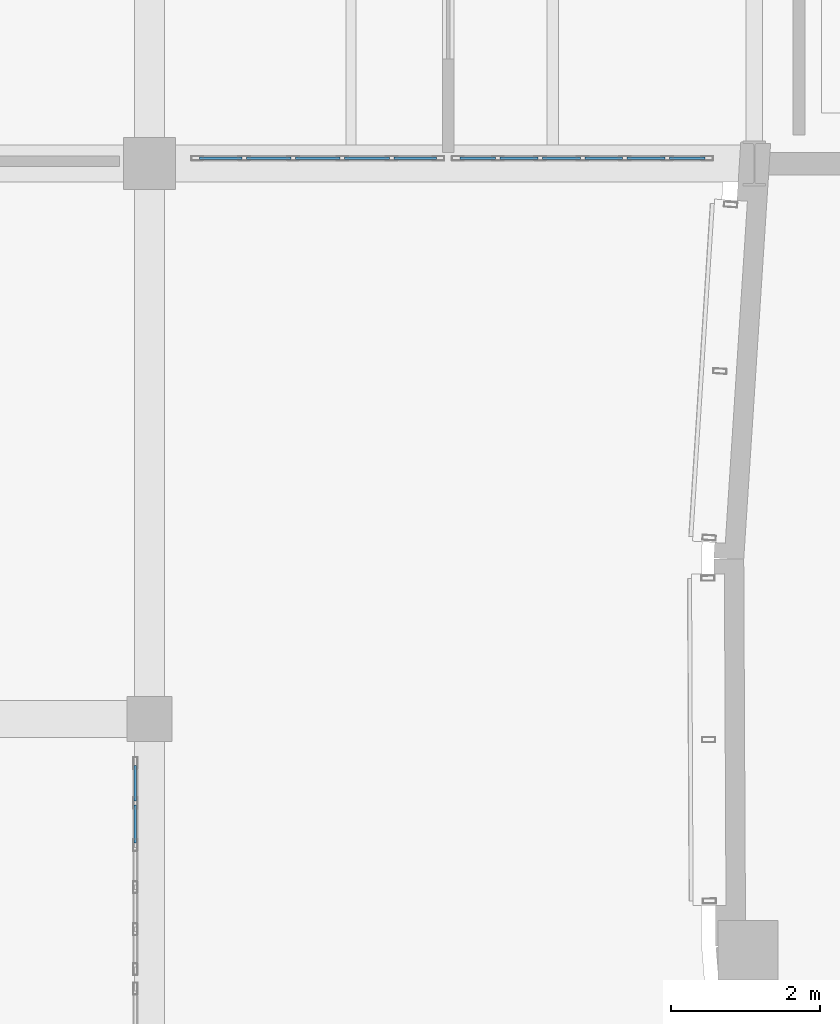
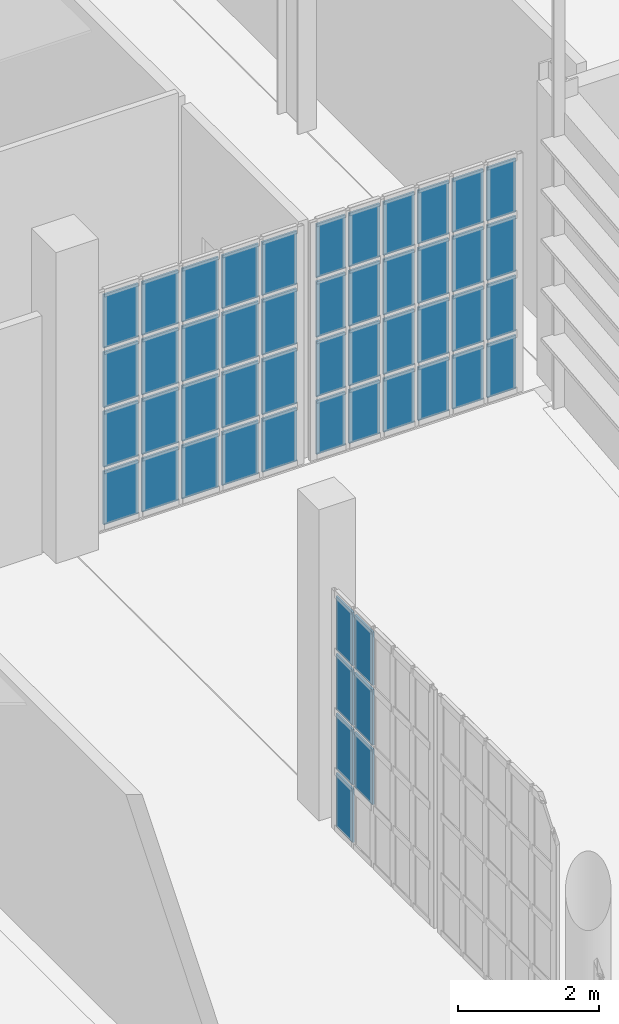
# One storey, part 325 of 372: 51 plates, 3 elements without a shape of their own.
"""IFC4 building model written with IfcOpenShell, lengths in metres."""

from ifc_helpers import new_model, si_unit, direction, frame, origin, origin_2d, place, context, subcontext, project, spatial, rectangle, extrude, material, layer, layer_set, type_object, element, aggregate, save


model = new_model("IFC4")

# Units and contexts
model_context = context("Model", 3, precision=1e-05, world=origin(), true_north=direction((0.0, 1.0)))
body_context = subcontext(model_context, "Body", "Model", "MODEL_VIEW")
ifc_project = project(units=[si_unit("LENGTHUNIT", "METRE"), si_unit("AREAUNIT", "SQUARE_METRE"), si_unit("VOLUMEUNIT", "CUBIC_METRE"), si_unit("PLANEANGLEUNIT", "RADIAN"), si_unit("MASSUNIT", "GRAM", prefix="KILO")], contexts=[model_context])

# Site, building, storey
site_placement = place(None, origin())
site = spatial("IfcSite", under=ifc_project, at=site_placement, CompositionType="ELEMENT")
building_placement = place(site_placement, origin())
building = spatial("IfcBuilding", under=site, at=building_placement, Name="Kaelora Sail Theatre", CompositionType="ELEMENT")
storey_placement = place(building_placement, origin())
storey = spatial("IfcBuildingStorey", under=building, at=storey_placement, Name="L00", CompositionType="ELEMENT", Elevation=0.0)

# Curtain wall, plates
ifc_material_1 = material(Name="Anodised aluminium and solar-control low-E IGU", Category="aluminium")
curtain_wall_type_1 = type_object("IfcCurtainWallType", Name="ARC-CW-CW-FOY1", PredefinedType="NOTDEFINED", material=ifc_material_1)
curtain_wall_1_placement = place(storey_placement, origin())
curtain_wall_1 = element("IfcCurtainWall", 1, at=curtain_wall_1_placement, inside=storey, type_object=curtain_wall_type_1, Name="Glazed Foyer/Conservatory Curtain Wall FW1-S-L00-01", PredefinedType="NOTDEFINED")
ifc_material_2 = material(Name="Solar-control laminated low-E glass", Category="glass")
ifc_layer = layer(ifc_material_2, 0.031982421875)
ifc_layer_set = layer_set([ifc_layer], Name="Solar-control laminated low-E glass")
plate_type = type_object("IfcPlateType", Name="ARC-CW-PNL", PredefinedType="CURTAIN_PANEL", material=ifc_layer_set)
plate_1_placement = place(storey_placement, frame((18.654052734375, 61.090087890625, 0.070068359375), z_axis=(0.0, 0.0, 1.0), x_axis=(1.0, 0.0, 0.0)))
plate_1 = element("IfcPlate", 2, at=plate_1_placement, type_object=plate_type, Name="CW-FOY1 panel 1.1", PredefinedType="CURTAIN_PANEL", context=body_context, shape_type="SweptSolid", body=[
    extrude(rectangle(XDim=0.568115234375, YDim=0.031982421875, at=origin_2d()), origin(), (0.0, 0.0, 1.0), 0.92919921875),
])
plate_2_placement = place(storey_placement, frame((18.654052734375, 61.090087890625, 1.069091796875), z_axis=(0.0, 0.0, 1.0), x_axis=(1.0, 0.0, 0.0)))
plate_2 = element("IfcPlate", 3, at=plate_2_placement, type_object=plate_type, Name="CW-FOY1 panel 1.2", PredefinedType="CURTAIN_PANEL", context=body_context, shape_type="SweptSolid", body=[
    extrude(rectangle(XDim=0.568115234375, YDim=0.031982421875, at=origin_2d()), origin(), (0.0, 0.0, 1.0), 0.96435546875),
])
plate_3_placement = place(storey_placement, frame((18.654052734375, 61.090087890625, 2.103515625), z_axis=(0.0, 0.0, 1.0), x_axis=(1.0, 0.0, 0.0)))
plate_3 = element("IfcPlate", 4, at=plate_3_placement, type_object=plate_type, Name="CW-FOY1 panel 1.3", PredefinedType="CURTAIN_PANEL", context=body_context, shape_type="SweptSolid", body=[
    extrude(rectangle(XDim=0.568115234375, YDim=0.031982421875, at=origin_2d()), origin(), (0.0, 0.0, 1.0), 0.964111328125),
])
plate_4_placement = place(storey_placement, frame((18.654052734375, 61.090087890625, 3.1376953125), z_axis=(0.0, 0.0, 1.0), x_axis=(1.0, 0.0, 0.0)))
plate_4 = element("IfcPlate", 5, at=plate_4_placement, type_object=plate_type, Name="CW-FOY1 panel 1.4", PredefinedType="CURTAIN_PANEL", context=body_context, shape_type="SweptSolid", body=[
    extrude(rectangle(XDim=0.568115234375, YDim=0.031982421875, at=origin_2d()), origin(), (0.0, 0.0, 1.0), 0.92919921875),
])
plate_5_placement = place(storey_placement, frame((19.297119140625, 61.090087890625, 0.070068359375), z_axis=(0.0, 0.0, 1.0), x_axis=(1.0, 0.0, 0.0)))
plate_5 = element("IfcPlate", 6, at=plate_5_placement, type_object=plate_type, Name="CW-FOY1 panel 2.1", PredefinedType="CURTAIN_PANEL", context=body_context, shape_type="SweptSolid", body=[
    extrude(rectangle(XDim=0.597900390625, YDim=0.031982421875, at=origin_2d()), origin(), (0.0, 0.0, 1.0), 0.92919921875),
])
plate_6_placement = place(storey_placement, frame((19.297119140625, 61.090087890625, 1.069091796875), z_axis=(0.0, 0.0, 1.0), x_axis=(1.0, 0.0, 0.0)))
plate_6 = element("IfcPlate", 7, at=plate_6_placement, type_object=plate_type, Name="CW-FOY1 panel 2.2", PredefinedType="CURTAIN_PANEL", context=body_context, shape_type="SweptSolid", body=[
    extrude(rectangle(XDim=0.597900390625, YDim=0.031982421875, at=origin_2d()), origin(), (0.0, 0.0, 1.0), 0.96435546875),
])
plate_7_placement = place(storey_placement, frame((19.297119140625, 61.090087890625, 2.103515625), z_axis=(0.0, 0.0, 1.0), x_axis=(1.0, 0.0, 0.0)))
plate_7 = element("IfcPlate", 8, at=plate_7_placement, type_object=plate_type, Name="CW-FOY1 panel 2.3", PredefinedType="CURTAIN_PANEL", context=body_context, shape_type="SweptSolid", body=[
    extrude(rectangle(XDim=0.597900390625, YDim=0.031982421875, at=origin_2d()), origin(), (0.0, 0.0, 1.0), 0.964111328125),
])
plate_8_placement = place(storey_placement, frame((19.297119140625, 61.090087890625, 3.1376953125), z_axis=(0.0, 0.0, 1.0), x_axis=(1.0, 0.0, 0.0)))
plate_8 = element("IfcPlate", 9, at=plate_8_placement, type_object=plate_type, Name="CW-FOY1 panel 2.4", PredefinedType="CURTAIN_PANEL", context=body_context, shape_type="SweptSolid", body=[
    extrude(rectangle(XDim=0.597900390625, YDim=0.031982421875, at=origin_2d()), origin(), (0.0, 0.0, 1.0), 0.92919921875),
])
plate_9_placement = place(storey_placement, frame((19.955078125, 61.090087890625, 0.070068359375), z_axis=(0.0, 0.0, 1.0), x_axis=(1.0, 0.0, 0.0)))
plate_9 = element("IfcPlate", 10, at=plate_9_placement, type_object=plate_type, Name="CW-FOY1 panel 3.1", PredefinedType="CURTAIN_PANEL", context=body_context, shape_type="SweptSolid", body=[
    extrude(rectangle(XDim=0.597900390625, YDim=0.031982421875, at=origin_2d()), origin(), (0.0, 0.0, 1.0), 0.92919921875),
])
plate_10_placement = place(storey_placement, frame((19.955078125, 61.090087890625, 1.069091796875), z_axis=(0.0, 0.0, 1.0), x_axis=(1.0, 0.0, 0.0)))
plate_10 = element("IfcPlate", 11, at=plate_10_placement, type_object=plate_type, Name="CW-FOY1 panel 3.2", PredefinedType="CURTAIN_PANEL", context=body_context, shape_type="SweptSolid", body=[
    extrude(rectangle(XDim=0.597900390625, YDim=0.031982421875, at=origin_2d()), origin(), (0.0, 0.0, 1.0), 0.96435546875),
])
plate_11_placement = place(storey_placement, frame((19.955078125, 61.090087890625, 2.103515625), z_axis=(0.0, 0.0, 1.0), x_axis=(1.0, 0.0, 0.0)))
plate_11 = element("IfcPlate", 12, at=plate_11_placement, type_object=plate_type, Name="CW-FOY1 panel 3.3", PredefinedType="CURTAIN_PANEL", context=body_context, shape_type="SweptSolid", body=[
    extrude(rectangle(XDim=0.597900390625, YDim=0.031982421875, at=origin_2d()), origin(), (0.0, 0.0, 1.0), 0.964111328125),
])
plate_12_placement = place(storey_placement, frame((19.955078125, 61.090087890625, 3.1376953125), z_axis=(0.0, 0.0, 1.0), x_axis=(1.0, 0.0, 0.0)))
plate_12 = element("IfcPlate", 13, at=plate_12_placement, type_object=plate_type, Name="CW-FOY1 panel 3.4", PredefinedType="CURTAIN_PANEL", context=body_context, shape_type="SweptSolid", body=[
    extrude(rectangle(XDim=0.597900390625, YDim=0.031982421875, at=origin_2d()), origin(), (0.0, 0.0, 1.0), 0.92919921875),
])
plate_13_placement = place(storey_placement, frame((20.613037109375, 61.090087890625, 0.070068359375), z_axis=(0.0, 0.0, 1.0), x_axis=(1.0, 0.0, 0.0)))
plate_13 = element("IfcPlate", 14, at=plate_13_placement, type_object=plate_type, Name="CW-FOY1 panel 4.1", PredefinedType="CURTAIN_PANEL", context=body_context, shape_type="SweptSolid", body=[
    extrude(rectangle(XDim=0.597900390625, YDim=0.031982421875, at=origin_2d()), origin(), (0.0, 0.0, 1.0), 0.92919921875),
])
plate_14_placement = place(storey_placement, frame((20.613037109375, 61.090087890625, 1.069091796875), z_axis=(0.0, 0.0, 1.0), x_axis=(1.0, 0.0, 0.0)))
plate_14 = element("IfcPlate", 15, at=plate_14_placement, type_object=plate_type, Name="CW-FOY1 panel 4.2", PredefinedType="CURTAIN_PANEL", context=body_context, shape_type="SweptSolid", body=[
    extrude(rectangle(XDim=0.597900390625, YDim=0.031982421875, at=origin_2d()), origin(), (0.0, 0.0, 1.0), 0.96435546875),
])
plate_15_placement = place(storey_placement, frame((20.613037109375, 61.090087890625, 2.103515625), z_axis=(0.0, 0.0, 1.0), x_axis=(1.0, 0.0, 0.0)))
plate_15 = element("IfcPlate", 16, at=plate_15_placement, type_object=plate_type, Name="CW-FOY1 panel 4.3", PredefinedType="CURTAIN_PANEL", context=body_context, shape_type="SweptSolid", body=[
    extrude(rectangle(XDim=0.597900390625, YDim=0.031982421875, at=origin_2d()), origin(), (0.0, 0.0, 1.0), 0.964111328125),
])
plate_16_placement = place(storey_placement, frame((20.613037109375, 61.090087890625, 3.1376953125), z_axis=(0.0, 0.0, 1.0), x_axis=(1.0, 0.0, 0.0)))
plate_16 = element("IfcPlate", 17, at=plate_16_placement, type_object=plate_type, Name="CW-FOY1 panel 4.4", PredefinedType="CURTAIN_PANEL", context=body_context, shape_type="SweptSolid", body=[
    extrude(rectangle(XDim=0.597900390625, YDim=0.031982421875, at=origin_2d()), origin(), (0.0, 0.0, 1.0), 0.92919921875),
])
plate_17_placement = place(storey_placement, frame((21.256103515625, 61.090087890625, 0.070068359375), z_axis=(0.0, 0.0, 1.0), x_axis=(1.0, 0.0, 0.0)))
plate_17 = element("IfcPlate", 18, at=plate_17_placement, type_object=plate_type, Name="CW-FOY1 panel 5.1", PredefinedType="CURTAIN_PANEL", context=body_context, shape_type="SweptSolid", body=[
    extrude(rectangle(XDim=0.568115234375, YDim=0.031982421875, at=origin_2d()), origin(), (0.0, 0.0, 1.0), 0.92919921875),
])
plate_18_placement = place(storey_placement, frame((21.256103515625, 61.090087890625, 1.069091796875), z_axis=(0.0, 0.0, 1.0), x_axis=(1.0, 0.0, 0.0)))
plate_18 = element("IfcPlate", 19, at=plate_18_placement, type_object=plate_type, Name="CW-FOY1 panel 5.2", PredefinedType="CURTAIN_PANEL", context=body_context, shape_type="SweptSolid", body=[
    extrude(rectangle(XDim=0.568115234375, YDim=0.031982421875, at=origin_2d()), origin(), (0.0, 0.0, 1.0), 0.96435546875),
])
plate_19_placement = place(storey_placement, frame((21.256103515625, 61.090087890625, 2.103515625), z_axis=(0.0, 0.0, 1.0), x_axis=(1.0, 0.0, 0.0)))
plate_19 = element("IfcPlate", 20, at=plate_19_placement, type_object=plate_type, Name="CW-FOY1 panel 5.3", PredefinedType="CURTAIN_PANEL", context=body_context, shape_type="SweptSolid", body=[
    extrude(rectangle(XDim=0.568115234375, YDim=0.031982421875, at=origin_2d()), origin(), (0.0, 0.0, 1.0), 0.964111328125),
])
plate_20_placement = place(storey_placement, frame((21.256103515625, 61.090087890625, 3.1376953125), z_axis=(0.0, 0.0, 1.0), x_axis=(1.0, 0.0, 0.0)))
plate_20 = element("IfcPlate", 21, at=plate_20_placement, type_object=plate_type, Name="CW-FOY1 panel 5.4", PredefinedType="CURTAIN_PANEL", context=body_context, shape_type="SweptSolid", body=[
    extrude(rectangle(XDim=0.568115234375, YDim=0.031982421875, at=origin_2d()), origin(), (0.0, 0.0, 1.0), 0.92919921875),
])
aggregate(curtain_wall_1, [plate_1, plate_2, plate_3, plate_4, plate_5, plate_6, plate_7, plate_8, plate_9, plate_10, plate_11, plate_12, plate_13, plate_14, plate_15, plate_16, plate_17, plate_18, plate_19, plate_20])

curtain_wall_2_placement = place(storey_placement, origin())
curtain_wall_2 = element("IfcCurtainWall", 22, at=curtain_wall_2_placement, inside=storey, type_object=curtain_wall_type_1, Name="Glazed Foyer/Conservatory Curtain Wall FW1-S-L00-02", PredefinedType="NOTDEFINED")
plate_21_placement = place(storey_placement, frame((22.098388671875, 61.090087890625, 0.070068359375), z_axis=(0.0, 0.0, 1.0), x_axis=(1.0, 0.0, 0.0)))
plate_21 = element("IfcPlate", 23, at=plate_21_placement, type_object=plate_type, Name="CW-FOY1 panel 1.1", PredefinedType="CURTAIN_PANEL", context=body_context, shape_type="SweptSolid", body=[
    extrude(rectangle(XDim=0.4765625, YDim=0.031982421875, at=origin_2d()), origin(), (0.0, 0.0, 1.0), 0.92919921875),
])
plate_22_placement = place(storey_placement, frame((22.098388671875, 61.090087890625, 1.069091796875), z_axis=(0.0, 0.0, 1.0), x_axis=(1.0, 0.0, 0.0)))
plate_22 = element("IfcPlate", 24, at=plate_22_placement, type_object=plate_type, Name="CW-FOY1 panel 1.2", PredefinedType="CURTAIN_PANEL", context=body_context, shape_type="SweptSolid", body=[
    extrude(rectangle(XDim=0.4765625, YDim=0.031982421875, at=origin_2d()), origin(), (0.0, 0.0, 1.0), 0.96435546875),
])
plate_23_placement = place(storey_placement, frame((22.098388671875, 61.090087890625, 2.103515625), z_axis=(0.0, 0.0, 1.0), x_axis=(1.0, 0.0, 0.0)))
plate_23 = element("IfcPlate", 25, at=plate_23_placement, type_object=plate_type, Name="CW-FOY1 panel 1.3", PredefinedType="CURTAIN_PANEL", context=body_context, shape_type="SweptSolid", body=[
    extrude(rectangle(XDim=0.4765625, YDim=0.031982421875, at=origin_2d()), origin(), (0.0, 0.0, 1.0), 0.964111328125),
])
plate_24_placement = place(storey_placement, frame((22.098388671875, 61.090087890625, 3.1376953125), z_axis=(0.0, 0.0, 1.0), x_axis=(1.0, 0.0, 0.0)))
plate_24 = element("IfcPlate", 26, at=plate_24_placement, type_object=plate_type, Name="CW-FOY1 panel 1.4", PredefinedType="CURTAIN_PANEL", context=body_context, shape_type="SweptSolid", body=[
    extrude(rectangle(XDim=0.4765625, YDim=0.031982421875, at=origin_2d()), origin(), (0.0, 0.0, 1.0), 0.92919921875),
])
plate_25_placement = place(storey_placement, frame((22.64990234375, 61.090087890625, 0.070068359375), z_axis=(0.0, 0.0, 1.0), x_axis=(1.0, 0.0, 0.0)))
plate_25 = element("IfcPlate", 27, at=plate_25_placement, type_object=plate_type, Name="CW-FOY1 panel 2.1", PredefinedType="CURTAIN_PANEL", context=body_context, shape_type="SweptSolid", body=[
    extrude(rectangle(XDim=0.506591796875, YDim=0.031982421875, at=origin_2d()), origin(), (0.0, 0.0, 1.0), 0.92919921875),
])
plate_26_placement = place(storey_placement, frame((22.64990234375, 61.090087890625, 1.069091796875), z_axis=(0.0, 0.0, 1.0), x_axis=(1.0, 0.0, 0.0)))
plate_26 = element("IfcPlate", 28, at=plate_26_placement, type_object=plate_type, Name="CW-FOY1 panel 2.2", PredefinedType="CURTAIN_PANEL", context=body_context, shape_type="SweptSolid", body=[
    extrude(rectangle(XDim=0.506591796875, YDim=0.031982421875, at=origin_2d()), origin(), (0.0, 0.0, 1.0), 0.96435546875),
])
plate_27_placement = place(storey_placement, frame((22.64990234375, 61.090087890625, 2.103515625), z_axis=(0.0, 0.0, 1.0), x_axis=(1.0, 0.0, 0.0)))
plate_27 = element("IfcPlate", 29, at=plate_27_placement, type_object=plate_type, Name="CW-FOY1 panel 2.3", PredefinedType="CURTAIN_PANEL", context=body_context, shape_type="SweptSolid", body=[
    extrude(rectangle(XDim=0.506591796875, YDim=0.031982421875, at=origin_2d()), origin(), (0.0, 0.0, 1.0), 0.964111328125),
])
plate_28_placement = place(storey_placement, frame((22.64990234375, 61.090087890625, 3.1376953125), z_axis=(0.0, 0.0, 1.0), x_axis=(1.0, 0.0, 0.0)))
plate_28 = element("IfcPlate", 30, at=plate_28_placement, type_object=plate_type, Name="CW-FOY1 panel 2.4", PredefinedType="CURTAIN_PANEL", context=body_context, shape_type="SweptSolid", body=[
    extrude(rectangle(XDim=0.506591796875, YDim=0.031982421875, at=origin_2d()), origin(), (0.0, 0.0, 1.0), 0.92919921875),
])
plate_29_placement = place(storey_placement, frame((23.216552734375, 61.090087890625, 0.070068359375), z_axis=(0.0, 0.0, 1.0), x_axis=(1.0, 0.0, 0.0)))
plate_29 = element("IfcPlate", 31, at=plate_29_placement, type_object=plate_type, Name="CW-FOY1 panel 3.1", PredefinedType="CURTAIN_PANEL", context=body_context, shape_type="SweptSolid", body=[
    extrude(rectangle(XDim=0.506591796875, YDim=0.031982421875, at=origin_2d()), origin(), (0.0, 0.0, 1.0), 0.92919921875),
])
plate_30_placement = place(storey_placement, frame((23.216552734375, 61.090087890625, 1.069091796875), z_axis=(0.0, 0.0, 1.0), x_axis=(1.0, 0.0, 0.0)))
plate_30 = element("IfcPlate", 32, at=plate_30_placement, type_object=plate_type, Name="CW-FOY1 panel 3.2", PredefinedType="CURTAIN_PANEL", context=body_context, shape_type="SweptSolid", body=[
    extrude(rectangle(XDim=0.506591796875, YDim=0.031982421875, at=origin_2d()), origin(), (0.0, 0.0, 1.0), 0.96435546875),
])
plate_31_placement = place(storey_placement, frame((23.216552734375, 61.090087890625, 2.103515625), z_axis=(0.0, 0.0, 1.0), x_axis=(1.0, 0.0, 0.0)))
plate_31 = element("IfcPlate", 33, at=plate_31_placement, type_object=plate_type, Name="CW-FOY1 panel 3.3", PredefinedType="CURTAIN_PANEL", context=body_context, shape_type="SweptSolid", body=[
    extrude(rectangle(XDim=0.506591796875, YDim=0.031982421875, at=origin_2d()), origin(), (0.0, 0.0, 1.0), 0.964111328125),
])
plate_32_placement = place(storey_placement, frame((23.216552734375, 61.090087890625, 3.1376953125), z_axis=(0.0, 0.0, 1.0), x_axis=(1.0, 0.0, 0.0)))
plate_32 = element("IfcPlate", 34, at=plate_32_placement, type_object=plate_type, Name="CW-FOY1 panel 3.4", PredefinedType="CURTAIN_PANEL", context=body_context, shape_type="SweptSolid", body=[
    extrude(rectangle(XDim=0.506591796875, YDim=0.031982421875, at=origin_2d()), origin(), (0.0, 0.0, 1.0), 0.92919921875),
])
plate_33_placement = place(storey_placement, frame((23.783447265625, 61.090087890625, 0.070068359375), z_axis=(0.0, 0.0, 1.0), x_axis=(1.0, 0.0, 0.0)))
plate_33 = element("IfcPlate", 35, at=plate_33_placement, type_object=plate_type, Name="CW-FOY1 panel 4.1", PredefinedType="CURTAIN_PANEL", context=body_context, shape_type="SweptSolid", body=[
    extrude(rectangle(XDim=0.506591796875, YDim=0.031982421875, at=origin_2d()), origin(), (0.0, 0.0, 1.0), 0.92919921875),
])
plate_34_placement = place(storey_placement, frame((23.783447265625, 61.090087890625, 1.069091796875), z_axis=(0.0, 0.0, 1.0), x_axis=(1.0, 0.0, 0.0)))
plate_34 = element("IfcPlate", 36, at=plate_34_placement, type_object=plate_type, Name="CW-FOY1 panel 4.2", PredefinedType="CURTAIN_PANEL", context=body_context, shape_type="SweptSolid", body=[
    extrude(rectangle(XDim=0.506591796875, YDim=0.031982421875, at=origin_2d()), origin(), (0.0, 0.0, 1.0), 0.96435546875),
])
plate_35_placement = place(storey_placement, frame((23.783447265625, 61.090087890625, 2.103515625), z_axis=(0.0, 0.0, 1.0), x_axis=(1.0, 0.0, 0.0)))
plate_35 = element("IfcPlate", 37, at=plate_35_placement, type_object=plate_type, Name="CW-FOY1 panel 4.3", PredefinedType="CURTAIN_PANEL", context=body_context, shape_type="SweptSolid", body=[
    extrude(rectangle(XDim=0.506591796875, YDim=0.031982421875, at=origin_2d()), origin(), (0.0, 0.0, 1.0), 0.964111328125),
])
plate_36_placement = place(storey_placement, frame((23.783447265625, 61.090087890625, 3.1376953125), z_axis=(0.0, 0.0, 1.0), x_axis=(1.0, 0.0, 0.0)))
plate_36 = element("IfcPlate", 38, at=plate_36_placement, type_object=plate_type, Name="CW-FOY1 panel 4.4", PredefinedType="CURTAIN_PANEL", context=body_context, shape_type="SweptSolid", body=[
    extrude(rectangle(XDim=0.506591796875, YDim=0.031982421875, at=origin_2d()), origin(), (0.0, 0.0, 1.0), 0.92919921875),
])
plate_37_placement = place(storey_placement, frame((24.35009765625, 61.090087890625, 0.070068359375), z_axis=(0.0, 0.0, 1.0), x_axis=(1.0, 0.0, 0.0)))
plate_37 = element("IfcPlate", 39, at=plate_37_placement, type_object=plate_type, Name="CW-FOY1 panel 5.1", PredefinedType="CURTAIN_PANEL", context=body_context, shape_type="SweptSolid", body=[
    extrude(rectangle(XDim=0.506591796875, YDim=0.031982421875, at=origin_2d()), origin(), (0.0, 0.0, 1.0), 0.92919921875),
])
plate_38_placement = place(storey_placement, frame((24.35009765625, 61.090087890625, 1.069091796875), z_axis=(0.0, 0.0, 1.0), x_axis=(1.0, 0.0, 0.0)))
plate_38 = element("IfcPlate", 40, at=plate_38_placement, type_object=plate_type, Name="CW-FOY1 panel 5.2", PredefinedType="CURTAIN_PANEL", context=body_context, shape_type="SweptSolid", body=[
    extrude(rectangle(XDim=0.506591796875, YDim=0.031982421875, at=origin_2d()), origin(), (0.0, 0.0, 1.0), 0.96435546875),
])
plate_39_placement = place(storey_placement, frame((24.35009765625, 61.090087890625, 2.103515625), z_axis=(0.0, 0.0, 1.0), x_axis=(1.0, 0.0, 0.0)))
plate_39 = element("IfcPlate", 41, at=plate_39_placement, type_object=plate_type, Name="CW-FOY1 panel 5.3", PredefinedType="CURTAIN_PANEL", context=body_context, shape_type="SweptSolid", body=[
    extrude(rectangle(XDim=0.506591796875, YDim=0.031982421875, at=origin_2d()), origin(), (0.0, 0.0, 1.0), 0.964111328125),
])
plate_40_placement = place(storey_placement, frame((24.35009765625, 61.090087890625, 3.1376953125), z_axis=(0.0, 0.0, 1.0), x_axis=(1.0, 0.0, 0.0)))
plate_40 = element("IfcPlate", 42, at=plate_40_placement, type_object=plate_type, Name="CW-FOY1 panel 5.4", PredefinedType="CURTAIN_PANEL", context=body_context, shape_type="SweptSolid", body=[
    extrude(rectangle(XDim=0.506591796875, YDim=0.031982421875, at=origin_2d()), origin(), (0.0, 0.0, 1.0), 0.92919921875),
])
plate_41_placement = place(storey_placement, frame((24.901611328125, 61.090087890625, 0.070068359375), z_axis=(0.0, 0.0, 1.0), x_axis=(1.0, 0.0, 0.0)))
plate_41 = element("IfcPlate", 43, at=plate_41_placement, type_object=plate_type, Name="CW-FOY1 panel 6.1", PredefinedType="CURTAIN_PANEL", context=body_context, shape_type="SweptSolid", body=[
    extrude(rectangle(XDim=0.4765625, YDim=0.031982421875, at=origin_2d()), origin(), (0.0, 0.0, 1.0), 0.92919921875),
])
plate_42_placement = place(storey_placement, frame((24.901611328125, 61.090087890625, 1.069091796875), z_axis=(0.0, 0.0, 1.0), x_axis=(1.0, 0.0, 0.0)))
plate_42 = element("IfcPlate", 44, at=plate_42_placement, type_object=plate_type, Name="CW-FOY1 panel 6.2", PredefinedType="CURTAIN_PANEL", context=body_context, shape_type="SweptSolid", body=[
    extrude(rectangle(XDim=0.4765625, YDim=0.031982421875, at=origin_2d()), origin(), (0.0, 0.0, 1.0), 0.96435546875),
])
plate_43_placement = place(storey_placement, frame((24.901611328125, 61.090087890625, 2.103515625), z_axis=(0.0, 0.0, 1.0), x_axis=(1.0, 0.0, 0.0)))
plate_43 = element("IfcPlate", 45, at=plate_43_placement, type_object=plate_type, Name="CW-FOY1 panel 6.3", PredefinedType="CURTAIN_PANEL", context=body_context, shape_type="SweptSolid", body=[
    extrude(rectangle(XDim=0.4765625, YDim=0.031982421875, at=origin_2d()), origin(), (0.0, 0.0, 1.0), 0.964111328125),
])
plate_44_placement = place(storey_placement, frame((24.901611328125, 61.090087890625, 3.1376953125), z_axis=(0.0, 0.0, 1.0), x_axis=(1.0, 0.0, 0.0)))
plate_44 = element("IfcPlate", 46, at=plate_44_placement, type_object=plate_type, Name="CW-FOY1 panel 6.4", PredefinedType="CURTAIN_PANEL", context=body_context, shape_type="SweptSolid", body=[
    extrude(rectangle(XDim=0.4765625, YDim=0.031982421875, at=origin_2d()), origin(), (0.0, 0.0, 1.0), 0.92919921875),
])
aggregate(curtain_wall_2, [plate_21, plate_22, plate_23, plate_24, plate_25, plate_26, plate_27, plate_28, plate_29, plate_30, plate_31, plate_32, plate_33, plate_34, plate_35, plate_36, plate_37, plate_38, plate_39, plate_40, plate_41, plate_42, plate_43, plate_44])

ifc_material_3 = material(Name="Anodised aluminium and solar-control low-E IGU", Category="aluminium")
curtain_wall_type_2 = type_object("IfcCurtainWallType", Name="ARC-CW-CW-FOY2", PredefinedType="NOTDEFINED", material=ifc_material_3)
curtain_wall_3_placement = place(storey_placement, origin())
curtain_wall_3 = element("IfcCurtainWall", 47, at=curtain_wall_3_placement, inside=storey, type_object=curtain_wall_type_2, Name="Glazed Colonnade/Courtyard Curtain Wall COLW-E-L00-06", PredefinedType="NOTDEFINED")
plate_45_placement = place(storey_placement, frame((17.510009765625, 52.174072265625, 1.069091796875), z_axis=(0.0, 0.0, 1.0), x_axis=(0.0, 1.0, 0.0)))
plate_45 = element("IfcPlate", 48, at=plate_45_placement, type_object=plate_type, Name="CW-FOY2 panel 4.2", PredefinedType="CURTAIN_PANEL", context=body_context, shape_type="SweptSolid", body=[
    extrude(rectangle(XDim=0.50390625, YDim=0.031982421875, at=origin_2d()), origin(), (0.0, 0.0, 1.0), 0.96435546875),
])
plate_46_placement = place(storey_placement, frame((17.510009765625, 52.174072265625, 2.103515625), z_axis=(0.0, 0.0, 1.0), x_axis=(0.0, 1.0, 0.0)))
plate_46 = element("IfcPlate", 49, at=plate_46_placement, type_object=plate_type, Name="CW-FOY2 panel 4.3", PredefinedType="CURTAIN_PANEL", context=body_context, shape_type="SweptSolid", body=[
    extrude(rectangle(XDim=0.50390625, YDim=0.031982421875, at=origin_2d()), origin(), (0.0, 0.0, 1.0), 0.964111328125),
])
plate_47_placement = place(storey_placement, frame((17.510009765625, 52.174072265625, 3.1376953125), z_axis=(0.0, 0.0, 1.0), x_axis=(0.0, 1.0, 0.0)))
plate_47 = element("IfcPlate", 50, at=plate_47_placement, type_object=plate_type, Name="CW-FOY2 panel 4.4", PredefinedType="CURTAIN_PANEL", context=body_context, shape_type="SweptSolid", body=[
    extrude(rectangle(XDim=0.50390625, YDim=0.031982421875, at=origin_2d()), origin(), (0.0, 0.0, 1.0), 0.92919921875),
])
plate_48_placement = place(storey_placement, frame((17.510009765625, 52.722900390625, 0.070068359375), z_axis=(0.0, 0.0, 1.0), x_axis=(0.0, 1.0, 0.0)))
plate_48 = element("IfcPlate", 51, at=plate_48_placement, type_object=plate_type, Name="CW-FOY2 panel 5.1", PredefinedType="CURTAIN_PANEL", context=body_context, shape_type="SweptSolid", body=[
    extrude(rectangle(XDim=0.47412109375, YDim=0.031982421875, at=origin_2d()), origin(), (0.0, 0.0, 1.0), 0.92919921875),
])
plate_49_placement = place(storey_placement, frame((17.510009765625, 52.722900390625, 1.069091796875), z_axis=(0.0, 0.0, 1.0), x_axis=(0.0, 1.0, 0.0)))
plate_49 = element("IfcPlate", 52, at=plate_49_placement, type_object=plate_type, Name="CW-FOY2 panel 5.2", PredefinedType="CURTAIN_PANEL", context=body_context, shape_type="SweptSolid", body=[
    extrude(rectangle(XDim=0.47412109375, YDim=0.031982421875, at=origin_2d()), origin(), (0.0, 0.0, 1.0), 0.96435546875),
])
plate_50_placement = place(storey_placement, frame((17.510009765625, 52.722900390625, 2.103515625), z_axis=(0.0, 0.0, 1.0), x_axis=(0.0, 1.0, 0.0)))
plate_50 = element("IfcPlate", 53, at=plate_50_placement, type_object=plate_type, Name="CW-FOY2 panel 5.3", PredefinedType="CURTAIN_PANEL", context=body_context, shape_type="SweptSolid", body=[
    extrude(rectangle(XDim=0.47412109375, YDim=0.031982421875, at=origin_2d()), origin(), (0.0, 0.0, 1.0), 0.964111328125),
])
plate_51_placement = place(storey_placement, frame((17.510009765625, 52.722900390625, 3.1376953125), z_axis=(0.0, 0.0, 1.0), x_axis=(0.0, 1.0, 0.0)))
plate_51 = element("IfcPlate", 54, at=plate_51_placement, type_object=plate_type, Name="CW-FOY2 panel 5.4", PredefinedType="CURTAIN_PANEL", context=body_context, shape_type="SweptSolid", body=[
    extrude(rectangle(XDim=0.47412109375, YDim=0.031982421875, at=origin_2d()), origin(), (0.0, 0.0, 1.0), 0.92919921875),
])
aggregate(curtain_wall_3, [plate_45, plate_46, plate_47, plate_48, plate_49, plate_50, plate_51])

save(model, "model.ifc")
